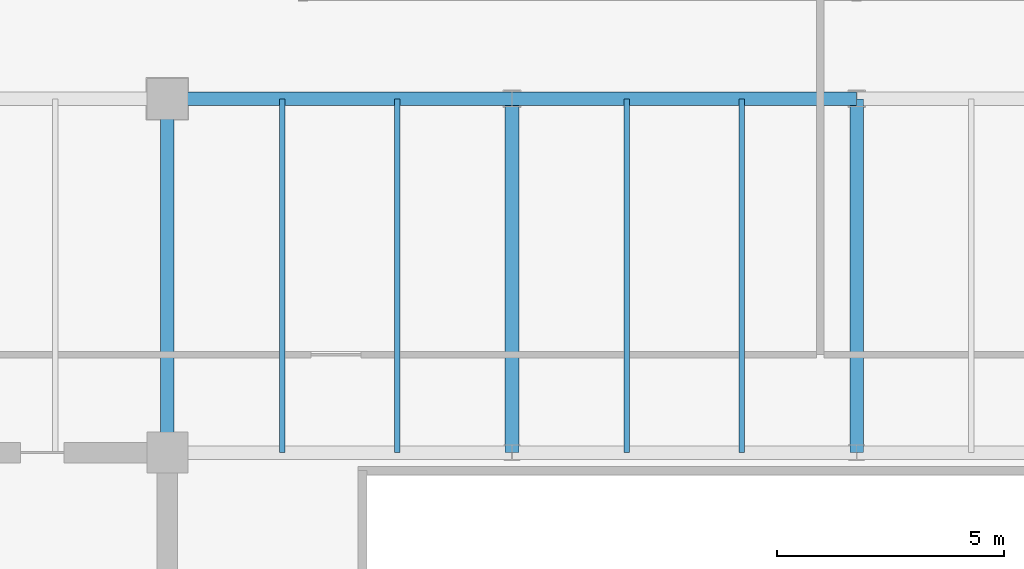
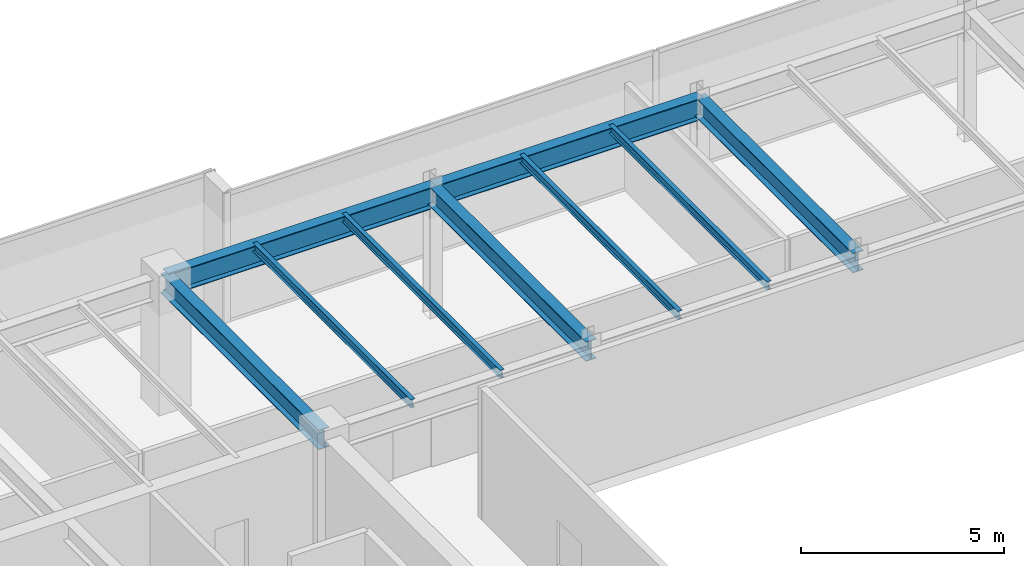
# One storey, part 21 of 34: 9 beams.
"""IFC4 building model written with IfcOpenShell, lengths in metres."""

from ifc_helpers import new_model, si_unit, direction, frame, origin, origin_2d, place, context, subcontext, project, spatial, i_section, extrude, source, transform, mapped, material, material_profile, profile_set, type_object, type_shapes, element, save


model = new_model("IFC4")

# Units and contexts
model_context = context("Model", 3, precision=1e-05, world=origin(), true_north=direction((0.0, 1.0)))
body_context = subcontext(model_context, "Body", "Model", "MODEL_VIEW")
ifc_project = project(units=[si_unit("LENGTHUNIT", "METRE"), si_unit("AREAUNIT", "SQUARE_METRE"), si_unit("VOLUMEUNIT", "CUBIC_METRE"), si_unit("PLANEANGLEUNIT", "RADIAN"), si_unit("MASSUNIT", "GRAM", prefix="KILO")], contexts=[model_context])

# Site, building, storey
site_placement = place(None, origin())
site = spatial("IfcSite", under=ifc_project, at=site_placement, CompositionType="ELEMENT")
building_placement = place(site_placement, origin())
building = spatial("IfcBuilding", under=site, at=building_placement, Name="Haelvirn Gate Laboratories", CompositionType="ELEMENT")
storey_placement = place(building_placement, frame((0.0, 0.0, 322.800048828125)))
storey = spatial("IfcBuildingStorey", under=building, at=storey_placement, Name="L77", CompositionType="ELEMENT", Elevation=322.800048828125)

# Beams
ifc_material = material(Name="Steel SM355", Category="steel")
ifc_material_profile_1 = material_profile(ifc_material, i_section(OverallWidth=0.300048828125, OverallDepth=0.587890625, WebThickness=0.011962890625, FlangeThickness=0.02001953125, at=origin_2d()), Name="H-588x300x12x20")
ifc_profile_set_1 = profile_set([ifc_material_profile_1], Name="Steel SM355")
beam_type_1 = type_object("IfcBeamType", Name="BM-G-588", PredefinedType="BEAM", material=ifc_profile_set_1)
shared_shape_1 = source(origin(), body_context, "Body", "SweptSolid", [
    extrude(i_section(OverallWidth=0.300048828125, OverallDepth=0.587890625, WebThickness=0.011962890625, FlangeThickness=0.02001953125, at=origin_2d()), origin(), (0.0, 0.0, 1.0), 7.800048828125),
])
type_shapes(beam_type_1, [shared_shape_1])
for number, where, z_axis, x_axis, name in (
    (1, (22.199951171875, 33.800048828125, 3.6259765625), (0.0, 1.0, 0.0), (-1.0, 0.0, 0.0), "L77 Frame Girder X22.2 (33.8-41.6)"),
    (2, (29.800048828125, 33.800048828125, 3.6259765625), (0.0, 1.0, 0.0), (-1.0, 0.0, 0.0), "L77 Frame Girder X29.8 (33.8-41.6)"),
    (3, (37.39990234375, 33.800048828125, 3.6259765625), (0.0, 1.0, 0.0), (-1.0, 0.0, 0.0), "L77 Frame Girder X37.4 (33.8-41.6)"),
):
    element("IfcBeam", number, at=place(storey_placement, frame(where, z_axis=z_axis, x_axis=x_axis)), inside=storey, type_object=beam_type_1, Name=name, PredefinedType="BEAM", context=body_context, shape_type="MappedRepresentation", body=[
        mapped(shared_shape_1, transform((0.0, 0.0, 0.0), scale=1.0)),
    ])
ifc_material_profile_2 = material_profile(ifc_material, i_section(OverallWidth=0.300048828125, OverallDepth=0.64990234375, WebThickness=0.012939453125, FlangeThickness=0.02197265625, at=origin_2d()), Name="H-650x300x13x22")
ifc_profile_set_2 = profile_set([ifc_material_profile_2], Name="Steel SM355")
beam_type_2 = type_object("IfcBeamType", Name="BM-G-650", PredefinedType="BEAM", material=ifc_profile_set_2)
shared_shape_2 = source(origin(), body_context, "Body", "SweptSolid", [
    extrude(i_section(OverallWidth=0.300048828125, OverallDepth=0.64990234375, WebThickness=0.012939453125, FlangeThickness=0.02197265625, at=origin_2d()), origin(), (0.0, 0.0, 1.0), 7.60009765625),
])
beam_1_placement = place(storey_placement, frame((22.199951171875, 41.60009765625, 3.594970703125), z_axis=(1.0, 0.0, 0.0), x_axis=(0.0, 1.0, 0.0)))
element("IfcBeam", 4, at=beam_1_placement, inside=storey, type_object=beam_type_2, Name="L77 Primary Girder Y41.6 (22.2-29.8)", PredefinedType="BEAM", context=body_context, shape_type="MappedRepresentation", body=[
    mapped(shared_shape_2, transform((0.0, 0.0, 0.0), scale=1.0)),
])
shared_shape_3 = source(origin(), body_context, "Body", "SweptSolid", [
    extrude(i_section(OverallWidth=0.300048828125, OverallDepth=0.64990234375, WebThickness=0.012939453125, FlangeThickness=0.02197265625, at=origin_2d()), origin(), (0.0, 0.0, 1.0), 7.599853515625),
])
type_shapes(beam_type_2, [shared_shape_2, shared_shape_3])
beam_2_placement = place(storey_placement, frame((29.800048828125, 41.60009765625, 3.594970703125), z_axis=(1.0, 0.0, 0.0), x_axis=(0.0, 1.0, 0.0)))
element("IfcBeam", 5, at=beam_2_placement, inside=storey, type_object=beam_type_2, Name="L77 Primary Girder Y41.6 (29.8-37.4)", PredefinedType="BEAM", context=body_context, shape_type="MappedRepresentation", body=[
    mapped(shared_shape_3, transform((0.0, 0.0, 0.0), scale=1.0)),
])
ifc_material_profile_3 = material_profile(ifc_material, i_section(OverallWidth=0.125, OverallDepth=0.25, WebThickness=0.006103515625, FlangeThickness=0.009033203125, at=origin_2d()), Name="H-250x125x6x9")
ifc_profile_set_3 = profile_set([ifc_material_profile_3], Name="Steel SM355")
beam_type_3 = type_object("IfcBeamType", Name="BM-J-250", PredefinedType="JOIST", material=ifc_profile_set_3)
shared_shape_4 = source(origin(), body_context, "Body", "SweptSolid", [
    extrude(i_section(OverallWidth=0.125, OverallDepth=0.25, WebThickness=0.006103515625, FlangeThickness=0.009033203125, at=origin_2d()), origin(), (0.0, 0.0, 1.0), 7.800048828125),
])
type_shapes(beam_type_3, [shared_shape_4])
for number, where, z_axis, x_axis, name in (
    (6, (24.72998046875, 33.800048828125, 3.794921875), (0.0, 1.0, 0.0), (-1.0, 0.0, 0.0), "L77 Composite Lab Joist North X24.73"),
    (7, (27.27001953125, 33.800048828125, 3.794921875), (0.0, 1.0, 0.0), (-1.0, 0.0, 0.0), "L77 Composite Lab Joist North X27.27"),
    (8, (32.330078125, 33.800048828125, 3.794921875), (0.0, 1.0, 0.0), (-1.0, 0.0, 0.0), "L77 Composite Lab Joist North X32.33"),
    (9, (34.8701171875, 33.800048828125, 3.794921875), (0.0, 1.0, 0.0), (-1.0, 0.0, 0.0), "L77 Composite Lab Joist North X34.87"),
):
    element("IfcBeam", number, at=place(storey_placement, frame(where, z_axis=z_axis, x_axis=x_axis)), inside=storey, type_object=beam_type_3, Name=name, PredefinedType="JOIST", context=body_context, shape_type="MappedRepresentation", body=[
        mapped(shared_shape_4, transform((0.0, 0.0, 0.0), scale=1.0)),
    ])

save(model, "model.ifc")
